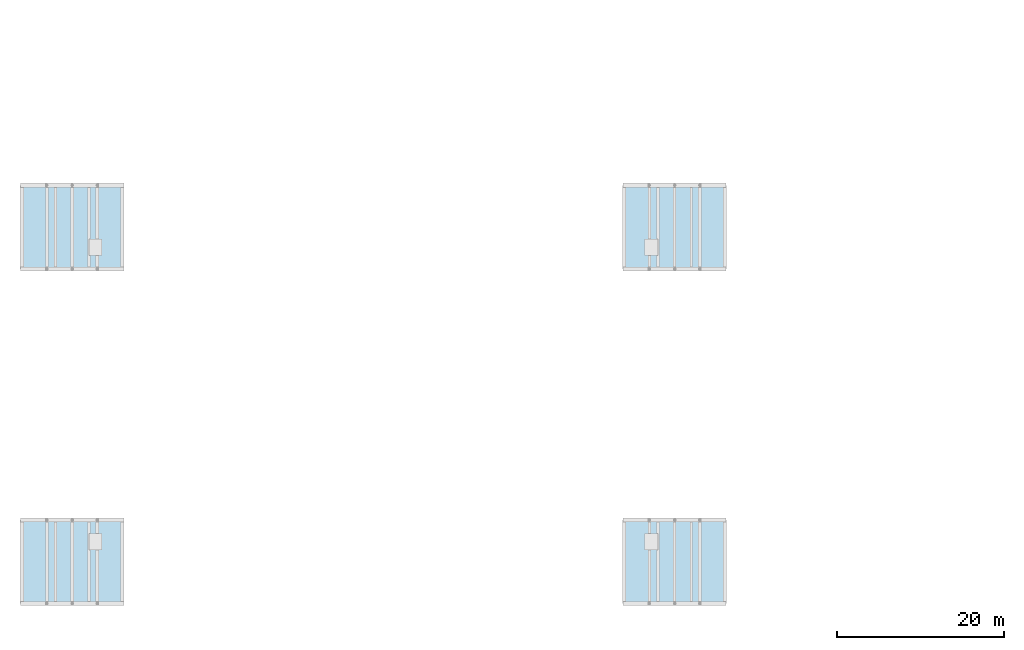
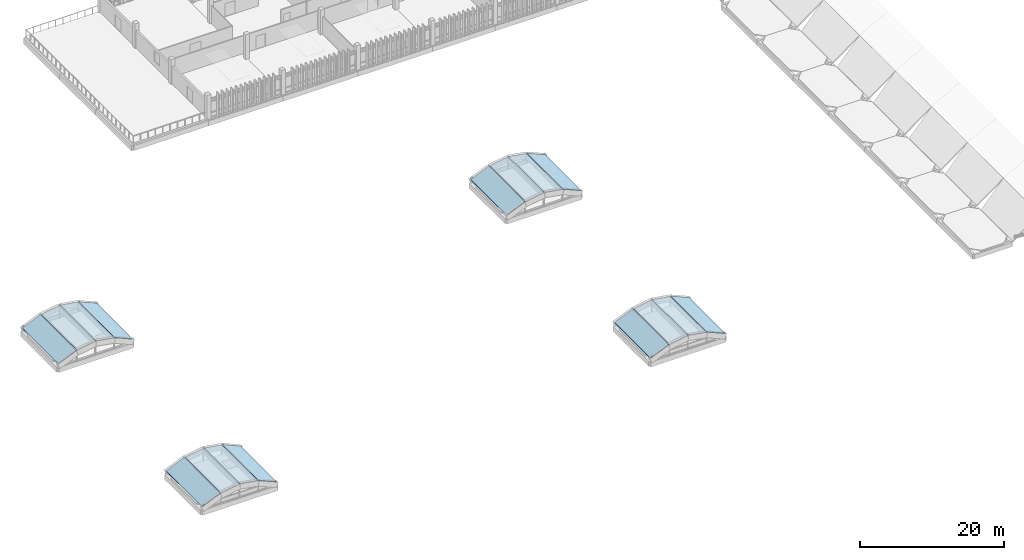
# One storey, part 80 of 82: 16 roofs.
"""IFC4 building model written with IfcOpenShell, lengths in metres."""

from ifc_helpers import new_model, si_unit, direction, frame, origin, place, context, subcontext, project, spatial, polyline, outline, extrude, material, layer, layer_set, type_object, element, save


model = new_model("IFC4")

# Units and contexts
model_context = context("Model", 3, precision=1e-05, world=origin(), true_north=direction((0.0, 1.0)))
body_context = subcontext(model_context, "Body", "Model", "MODEL_VIEW")
ifc_project = project(units=[si_unit("LENGTHUNIT", "METRE"), si_unit("AREAUNIT", "SQUARE_METRE"), si_unit("VOLUMEUNIT", "CUBIC_METRE"), si_unit("PLANEANGLEUNIT", "RADIAN"), si_unit("MASSUNIT", "GRAM", prefix="KILO")], contexts=[model_context])

# Site, building, storey
site_placement = place(None, origin())
site = spatial("IfcSite", under=ifc_project, at=site_placement, CompositionType="ELEMENT")
building_placement = place(site_placement, origin())
building = spatial("IfcBuilding", under=site, at=building_placement, Name="Mersad Railyard Sports Hall", CompositionType="ELEMENT")
storey_placement = place(building_placement, frame((0.0, 0.0, 13.199951171875)))
storey = spatial("IfcBuildingStorey", under=building, at=storey_placement, Name="L03", CompositionType="ELEMENT", Elevation=13.199951171875)

# Roofs
ifc_material = material(Name="Architectural concrete C40/50", Category="concrete")
ifc_layer = layer(ifc_material, 0.1201171875)
ifc_layer_set = layer_set([ifc_layer], Name="Architectural concrete C40/50")
roof_type = type_object("IfcRoofType", Name="ARC-RF-PV01", PredefinedType="PAVILION_ROOF", material=ifc_layer_set)
roof_1_placement = place(storey_placement, frame((7.0, 3.5, 0.35009765625), z_axis=(-0.397620010727, 0.0, 0.917550176867), x_axis=(0.917550176867, 0.0, 0.397620010727)))
element("IfcRoof", 1, at=roof_1_placement, inside=storey, type_object=roof_type, Name="Corner pavilion vault shell PV-1-1", PredefinedType="PAVILION_ROOF", context=body_context, shape_type="SweptSolid", body=[
    extrude(outline(polyline([(0.0, 0.0), (3.26957595958699, 0.0), (3.26957595958699, 9.999999999999998), (0.0, 9.999999999999998), (0.0, 0.0)])), origin(), (0.0, 0.0, -1.0), 0.139892578125),
])
for number, where, z_axis, x_axis, name in (
    (2, (10.0, 3.5, 1.650146484375), (-0.164398987305, 0.0, 0.986393923832), (0.986393923832, 0.0, 0.164398987305), "Corner pavilion vault shell PV-1-2"),
    (3, (13.0, 3.5, 2.150146484375), (0.164398987305, 0.0, 0.986393923832), (0.986393923832, 0.0, -0.164398987305), "Corner pavilion vault shell PV-1-3"),
):
    element("IfcRoof", number, at=place(storey_placement, frame(where, z_axis=z_axis, x_axis=x_axis)), inside=storey, type_object=roof_type, Name=name, PredefinedType="PAVILION_ROOF", context=body_context, shape_type="SweptSolid", body=[
        extrude(outline(polyline([(0.0, 0.0), (3.04138126514911, 0.0), (3.04138126514911, 10.0), (0.0, 10.0), (0.0, 0.0)])), origin(), (0.0, 0.0, -1.0), 0.139892578125),
    ])
for number, where, z_axis, x_axis, name in (
    (4, (16.0, 3.5, 1.650146484375), (0.397620010727, 0.0, 0.917550176867), (0.917550176867, 0.0, -0.397620010727), "Corner pavilion vault shell PV-1-4"),
    (5, (79.0, 3.5, 0.35009765625), (-0.397620010727, 0.0, 0.917550176867), (0.917550176867, 0.0, 0.397620010727), "Corner pavilion vault shell PV-2-1"),
):
    element("IfcRoof", number, at=place(storey_placement, frame(where, z_axis=z_axis, x_axis=x_axis)), inside=storey, type_object=roof_type, Name=name, PredefinedType="PAVILION_ROOF", context=body_context, shape_type="SweptSolid", body=[
        extrude(outline(polyline([(0.0, 0.0), (3.26957595958699, 0.0), (3.26957595958699, 9.999999999999998), (0.0, 9.999999999999998), (0.0, 0.0)])), origin(), (0.0, 0.0, -1.0), 0.139892578125),
    ])
for number, where, z_axis, x_axis, name in (
    (6, (82.0, 3.5, 1.650146484375), (-0.164398987305, 0.0, 0.986393923832), (0.986393923832, 0.0, 0.164398987305), "Corner pavilion vault shell PV-2-2"),
    (7, (85.0, 3.5, 2.150146484375), (0.164398987305, 0.0, 0.986393923832), (0.986393923832, 0.0, -0.164398987305), "Corner pavilion vault shell PV-2-3"),
):
    element("IfcRoof", number, at=place(storey_placement, frame(where, z_axis=z_axis, x_axis=x_axis)), inside=storey, type_object=roof_type, Name=name, PredefinedType="PAVILION_ROOF", context=body_context, shape_type="SweptSolid", body=[
        extrude(outline(polyline([(0.0, 0.0), (3.04138126514911, 0.0), (3.04138126514911, 10.0), (0.0, 10.0), (0.0, 0.0)])), origin(), (0.0, 0.0, -1.0), 0.139892578125),
    ])
for number, where, z_axis, x_axis, name in (
    (8, (88.0, 3.5, 1.650146484375), (0.397620010727, 0.0, 0.917550176867), (0.917550176867, 0.0, -0.397620010727), "Corner pavilion vault shell PV-2-4"),
    (9, (7.0, 43.5, 0.35009765625), (-0.397620010727, 0.0, 0.917550176867), (0.917550176867, 0.0, 0.397620010727), "Corner pavilion vault shell PV-3-1"),
):
    element("IfcRoof", number, at=place(storey_placement, frame(where, z_axis=z_axis, x_axis=x_axis)), inside=storey, type_object=roof_type, Name=name, PredefinedType="PAVILION_ROOF", context=body_context, shape_type="SweptSolid", body=[
        extrude(outline(polyline([(0.0, 0.0), (3.26957595958699, 0.0), (3.26957595958699, 9.999999999999998), (0.0, 9.999999999999998), (0.0, 0.0)])), origin(), (0.0, 0.0, -1.0), 0.139892578125),
    ])
for number, where, z_axis, x_axis, name in (
    (10, (10.0, 43.5, 1.650146484375), (-0.164398987305, 0.0, 0.986393923832), (0.986393923832, 0.0, 0.164398987305), "Corner pavilion vault shell PV-3-2"),
    (11, (13.0, 43.5, 2.150146484375), (0.164398987305, 0.0, 0.986393923832), (0.986393923832, 0.0, -0.164398987305), "Corner pavilion vault shell PV-3-3"),
):
    element("IfcRoof", number, at=place(storey_placement, frame(where, z_axis=z_axis, x_axis=x_axis)), inside=storey, type_object=roof_type, Name=name, PredefinedType="PAVILION_ROOF", context=body_context, shape_type="SweptSolid", body=[
        extrude(outline(polyline([(0.0, 0.0), (3.04138126514911, 0.0), (3.04138126514911, 10.0), (0.0, 10.0), (0.0, 0.0)])), origin(), (0.0, 0.0, -1.0), 0.139892578125),
    ])
for number, where, z_axis, x_axis, name in (
    (12, (16.0, 43.5, 1.650146484375), (0.397620010727, 0.0, 0.917550176867), (0.917550176867, 0.0, -0.397620010727), "Corner pavilion vault shell PV-3-4"),
    (13, (79.0, 43.5, 0.35009765625), (-0.397620010727, 0.0, 0.917550176867), (0.917550176867, 0.0, 0.397620010727), "Corner pavilion vault shell PV-4-1"),
):
    element("IfcRoof", number, at=place(storey_placement, frame(where, z_axis=z_axis, x_axis=x_axis)), inside=storey, type_object=roof_type, Name=name, PredefinedType="PAVILION_ROOF", context=body_context, shape_type="SweptSolid", body=[
        extrude(outline(polyline([(0.0, 0.0), (3.26957595958699, 0.0), (3.26957595958699, 9.999999999999998), (0.0, 9.999999999999998), (0.0, 0.0)])), origin(), (0.0, 0.0, -1.0), 0.139892578125),
    ])
for number, where, z_axis, x_axis, name in (
    (14, (82.0, 43.5, 1.650146484375), (-0.164398987305, 0.0, 0.986393923832), (0.986393923832, 0.0, 0.164398987305), "Corner pavilion vault shell PV-4-2"),
    (15, (85.0, 43.5, 2.150146484375), (0.164398987305, 0.0, 0.986393923832), (0.986393923832, 0.0, -0.164398987305), "Corner pavilion vault shell PV-4-3"),
):
    element("IfcRoof", number, at=place(storey_placement, frame(where, z_axis=z_axis, x_axis=x_axis)), inside=storey, type_object=roof_type, Name=name, PredefinedType="PAVILION_ROOF", context=body_context, shape_type="SweptSolid", body=[
        extrude(outline(polyline([(0.0, 0.0), (3.04138126514911, 0.0), (3.04138126514911, 10.0), (0.0, 10.0), (0.0, 0.0)])), origin(), (0.0, 0.0, -1.0), 0.139892578125),
    ])
roof_2_placement = place(storey_placement, frame((88.0, 43.5, 1.650146484375), z_axis=(0.397620010727, 0.0, 0.917550176867), x_axis=(0.917550176867, 0.0, -0.397620010727)))
element("IfcRoof", 16, at=roof_2_placement, inside=storey, type_object=roof_type, Name="Corner pavilion vault shell PV-4-4", PredefinedType="PAVILION_ROOF", context=body_context, shape_type="SweptSolid", body=[
    extrude(outline(polyline([(0.0, 0.0), (3.26957595958699, 0.0), (3.26957595958699, 9.999999999999998), (0.0, 9.999999999999998), (0.0, 0.0)])), origin(), (0.0, 0.0, -1.0), 0.139892578125),
])

save(model, "model.ifc")
